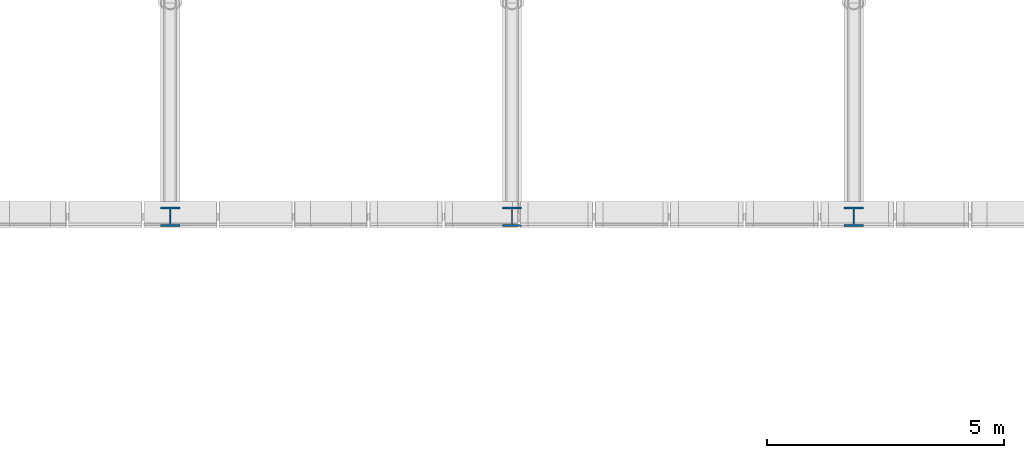
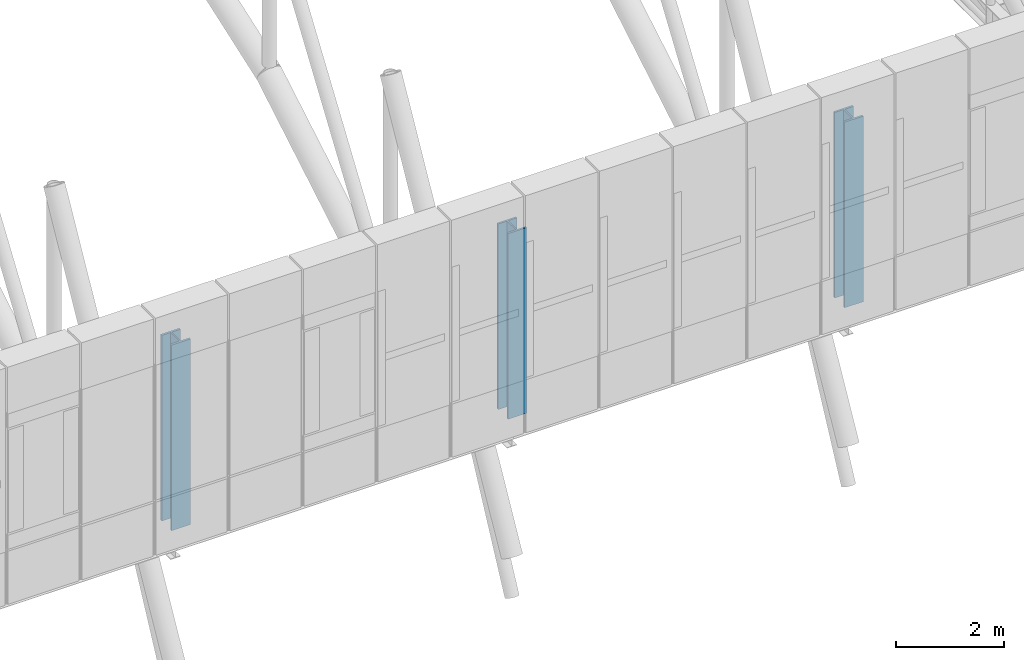
# One storey, part 5 of 144: 3 columns.
"""IFC4 building model written with IfcOpenShell, lengths in metres."""

from ifc_helpers import new_model, si_unit, direction, frame, origin, origin_2d, place, context, subcontext, project, spatial, i_section, extrude, material, material_profile, profile_set, type_object, element, save


model = new_model("IFC4")

# Units and contexts
model_context = context("Model", 3, precision=1e-05, world=origin(), true_north=direction((0.0, 1.0)))
body_context = subcontext(model_context, "Body", "Model", "MODEL_VIEW")
ifc_project = project(units=[si_unit("LENGTHUNIT", "METRE"), si_unit("AREAUNIT", "SQUARE_METRE"), si_unit("VOLUMEUNIT", "CUBIC_METRE"), si_unit("PLANEANGLEUNIT", "RADIAN"), si_unit("MASSUNIT", "GRAM", prefix="KILO")], contexts=[model_context])

# Site, building, storey
site_placement = place(None, origin())
site = spatial("IfcSite", under=ifc_project, at=site_placement, CompositionType="ELEMENT")
building_placement = place(site_placement, origin())
building = spatial("IfcBuilding", under=site, at=building_placement, Name="Yarey Park Central Fire Station", CompositionType="ELEMENT")
storey_placement = place(building_placement, frame((0.0, 0.0, 10.199951171875)))
storey = spatial("IfcBuildingStorey", under=building, at=storey_placement, Name="L03", CompositionType="ELEMENT", Elevation=10.199951171875)

# Columns
ifc_material = material(Name="Steel ASTM A992 Gr. 50", Category="steel")
ifc_material_profile = material_profile(ifc_material, i_section(OverallWidth=0.404052734375, OverallDepth=0.406982421875, WebThickness=0.027099609375, FlangeThickness=0.043701171875, at=origin_2d()), Name="W360x347")
ifc_profile_set = profile_set([ifc_material_profile], Name="Steel ASTM A992 Gr. 50")
column_type = type_object("IfcColumnType", Name="STR_COL_W360_EXT", PredefinedType="COLUMN", material=ifc_profile_set)
for number, where, z_axis, x_axis, name in (
    (1, (115.199951171875, 57.60009765625, 0.0), (0.0, 0.0, 1.0), (1.0, 0.0, 0.0), "V2_SCR_POST_S_L03_115"),
    (2, (122.39990234375, 57.60009765625, 0.0), (0.0, 0.0, 1.0), (1.0, 0.0, 0.0), "V2_SCR_POST_S_L03_122"),
    (3, (129.60009765625, 57.60009765625, 0.0), (0.0, 0.0, 1.0), (1.0, 0.0, 0.0), "V2_SCR_POST_S_L03_129"),
):
    element("IfcColumn", number, at=place(storey_placement, frame(where, z_axis=z_axis, x_axis=x_axis)), inside=storey, type_object=column_type, Name=name, PredefinedType="COLUMN", context=body_context, shape_type="SweptSolid", body=[
        extrude(i_section(OverallWidth=0.404052734375, OverallDepth=0.406982421875, WebThickness=0.027099609375, FlangeThickness=0.043701171875, at=origin_2d()), origin(), (0.0, 0.0, 1.0), 4.199951171875),
    ])

save(model, "model.ifc")
